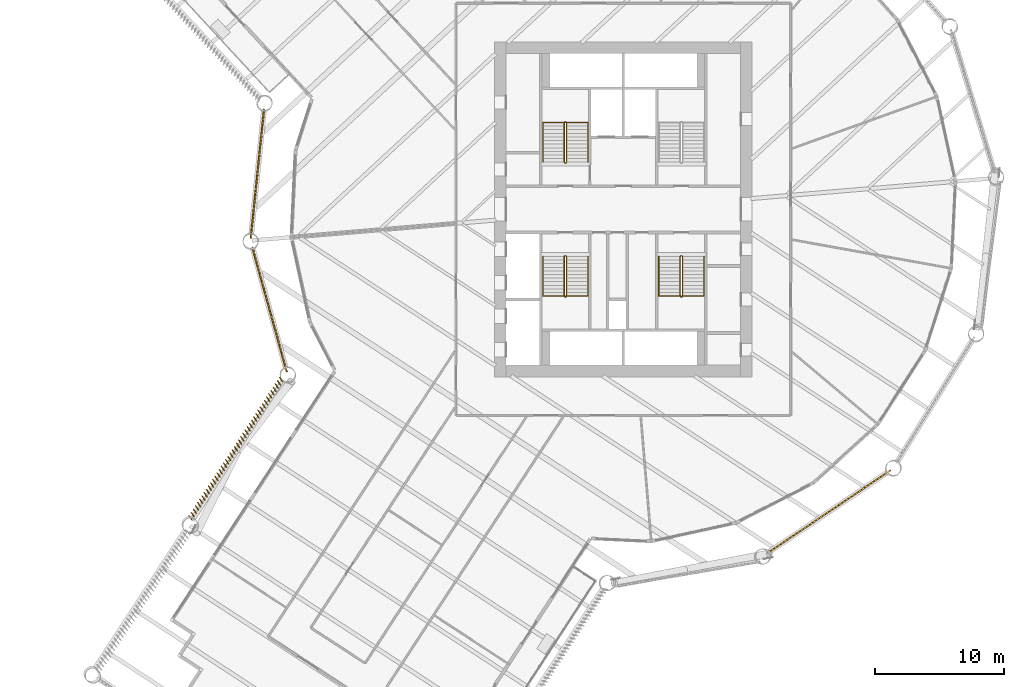
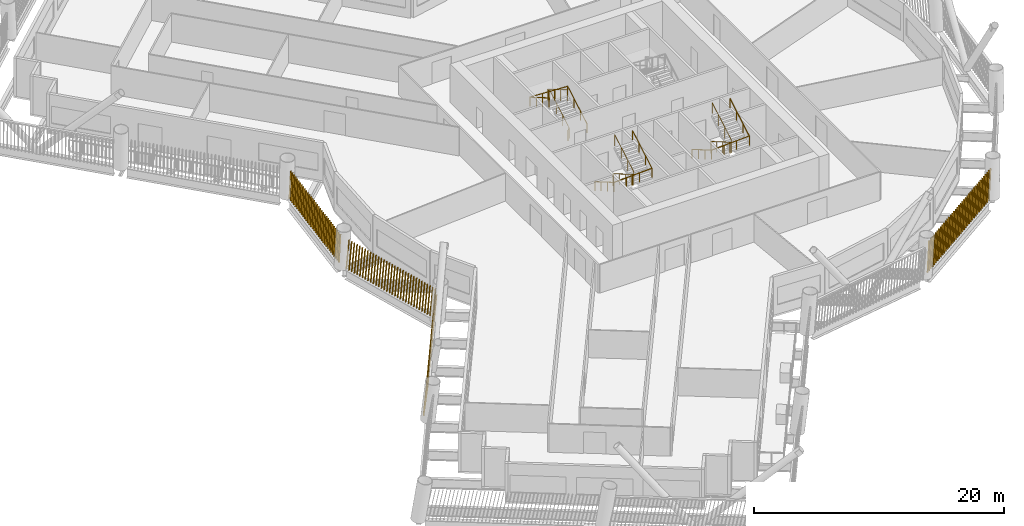
# One storey, part 19 of 22: 6 railings, 4 shading devices.
"""IFC4 building model written with IfcOpenShell, lengths in metres."""

from ifc_helpers import new_model, si_unit, direction, frame, frame_2d, origin, origin_2d, place, context, subcontext, project, spatial, rectangle, circle, composite_profile, extrude, material, type_object, element, save


model = new_model("IFC4")

# Units and contexts
model_context = context("Model", 3, precision=1e-05, world=origin(), true_north=direction((0.0, 1.0)))
body_context = subcontext(model_context, "Body", "Model", "MODEL_VIEW")
ifc_project = project(units=[si_unit("LENGTHUNIT", "METRE"), si_unit("AREAUNIT", "SQUARE_METRE"), si_unit("VOLUMEUNIT", "CUBIC_METRE"), si_unit("PLANEANGLEUNIT", "RADIAN"), si_unit("MASSUNIT", "GRAM", prefix="KILO")], contexts=[model_context])

# Site, building, storey
site_placement = place(None, origin())
site = spatial("IfcSite", under=ifc_project, at=site_placement, CompositionType="ELEMENT")
building_placement = place(site_placement, origin())
building = spatial("IfcBuilding", under=site, at=building_placement, Name="Tarsis Ring Headquarters", CompositionType="ELEMENT")
storey_placement = place(building_placement, frame((0.0, 0.0, 63.39990234375)))
storey = spatial("IfcBuildingStorey", under=building, at=storey_placement, Name="L13", CompositionType="ELEMENT", Elevation=63.39990234375)

# Railings
ifc_material_1 = material(Name="Steel S355", Category="steel")
railing_type_1 = type_object("IfcRailingType", Name="Core stair guard 1100", PredefinedType="GUARDRAIL", material=ifc_material_1)
railing_1_placement = place(storey_placement, frame((-4.5400390625, 3.610107421875, 0.0)))
element("IfcRailing", 1, at=railing_1_placement, inside=storey, type_object=railing_type_1, Name="L13 ST1 stair guard 1", PredefinedType="GUARDRAIL", context=body_context, shape_type="SweptSolid", body=[
    extrude(circle(Radius=0.02392578125, at=origin_2d()), frame((0.0, 0.0, 1.076171875), z_axis=(1.0, 0.0, 0.0), x_axis=(0.0, 1.0, 0.0)), (0.0, 0.0, 1.0), 0.080078125),
    extrude(circle(Radius=0.02392578125, at=origin_2d()), frame((0.080078125, 0.0, 1.076171875), z_axis=(0.282336740067, 0.280959487676, 0.917250092119), x_axis=(-0.705375805398, 0.708833529934, 0.0)), (0.0, 0.0, 1.0), 0.17724609375),
    extrude(circle(Radius=0.02392578125, at=origin_2d()), frame((0.130126953125, 0.0498046875, 1.23876953125), z_axis=(0.0, 0.864890721111, 0.501960198159), x_axis=(-1.0, 0.0, 0.0)), (0.0, 0.0, 1.0), 3.561279296875),
    extrude(circle(Radius=0.02392578125, at=origin_2d()), frame((0.130126953125, 3.1298828125, 3.0263671875), z_axis=(-0.707106781187, 0.707106781187, 0.0), x_axis=(-0.707106781187, -0.707106781187, 0.0)), (0.0, 0.0, 1.0), 0.07080078125),
    extrude(circle(Radius=0.02392578125, at=origin_2d()), frame((0.080078125, 3.179931640625, 3.0263671875), z_axis=(-1.0, 0.0, 0.0), x_axis=(0.0, -1.0, 0.0)), (0.0, 0.0, 1.0), 0.080078125),
    extrude(circle(Radius=0.02392578125, at=origin_2d()), frame((0.0, 3.179931640625, 3.0263671875), z_axis=(-0.282583949758, -0.282583949758, 0.916674763849), x_axis=(0.707106781187, -0.707106781187, 0.0)), (0.0, 0.0, 1.0), 0.177001953125),
    extrude(circle(Radius=0.02392578125, at=origin_2d()), frame((-0.050048828125, 3.1298828125, 3.1884765625), z_axis=(0.0, -0.864890721111, 0.501960198159), x_axis=(1.0, 0.0, 0.0)), (0.0, 0.0, 1.0), 3.561279296875),
    extrude(circle(Radius=0.02099609375, at=origin_2d()), origin(), (0.0, 0.0, 1.0), 1.052001953125),
    extrude(circle(Radius=0.02099609375, at=origin_2d()), frame((0.080078125, 0.0, 0.0)), (0.0, 0.0, 1.0), 1.052001953125),
    extrude(circle(Radius=0.02099609375, at=origin_2d()), frame((0.130126953125, 0.0498046875, 0.16259765625)), (0.0, 0.0, 1.0), 1.052001953125),
    extrude(circle(Radius=0.02099609375, at=origin_2d()), frame((0.130126953125, 1.076416015625, 0.758544921875)), (0.0, 0.0, 1.0), 1.052001953125),
    extrude(circle(Radius=0.02099609375, at=origin_2d()), frame((0.130126953125, 2.103271484375, 1.354248046875)), (0.0, 0.0, 1.0), 1.052001953125),
    extrude(circle(Radius=0.02099609375, at=origin_2d()), frame((0.130126953125, 3.1298828125, 1.9501953125)), (0.0, 0.0, 1.0), 1.052001953125),
    extrude(circle(Radius=0.02099609375, at=origin_2d()), frame((0.080078125, 3.179931640625, 1.9501953125)), (0.0, 0.0, 1.0), 1.052001953125),
    extrude(circle(Radius=0.02099609375, at=origin_2d()), frame((0.0, 3.179931640625, 1.9501953125)), (0.0, 0.0, 1.0), 1.052001953125),
    extrude(circle(Radius=0.02099609375, at=origin_2d()), frame((-0.050048828125, 3.1298828125, 2.112548828125)), (0.0, 0.0, 1.0), 1.052001953125),
    extrude(circle(Radius=0.02099609375, at=origin_2d()), frame((-0.050048828125, 2.103271484375, 2.70849609375)), (0.0, 0.0, 1.0), 1.052001953125),
    extrude(circle(Radius=0.02099609375, at=origin_2d()), frame((-0.050048828125, 1.076416015625, 3.30419921875)), (0.0, 0.0, 1.0), 1.052001953125),
    extrude(circle(Radius=0.02099609375, at=origin_2d()), frame((-0.050048828125, 0.0498046875, 3.900146484375)), (0.0, 0.0, 1.0), 1.052001953125),
])
railing_2_placement = place(storey_placement, frame((-4.4599609375, -3.610107421875, 0.0)))
element("IfcRailing", 2, at=railing_2_placement, inside=storey, type_object=railing_type_1, Name="L13 ST3 stair guard 1", PredefinedType="GUARDRAIL", context=body_context, shape_type="SweptSolid", body=[
    extrude(circle(Radius=0.02392578125, at=origin_2d()), frame((0.0, 0.0, 1.076171875), z_axis=(-1.0, 0.0, 0.0), x_axis=(0.0, -1.0, 0.0)), (0.0, 0.0, 1.0), 0.080078125),
    extrude(circle(Radius=0.02392578125, at=origin_2d()), frame((-0.080078125, 0.0, 1.076171875), z_axis=(-0.282336740067, -0.280959487676, 0.917250092119), x_axis=(0.705375805398, -0.708833529934, 0.0)), (0.0, 0.0, 1.0), 0.17724609375),
    extrude(circle(Radius=0.02392578125, at=origin_2d()), frame((-0.130126953125, -0.0498046875, 1.23876953125), z_axis=(0.0, -0.864890721111, 0.501960198159), x_axis=(1.0, 0.0, 0.0)), (0.0, 0.0, 1.0), 3.561279296875),
    extrude(circle(Radius=0.02392578125, at=origin_2d()), frame((-0.130126953125, -3.1298828125, 3.0263671875), z_axis=(0.707106781187, -0.707106781187, 0.0), x_axis=(0.707106781187, 0.707106781187, 0.0)), (0.0, 0.0, 1.0), 0.07080078125),
    extrude(circle(Radius=0.02392578125, at=origin_2d()), frame((-0.080078125, -3.179931640625, 3.0263671875), z_axis=(1.0, 0.0, 0.0), x_axis=(0.0, 1.0, 0.0)), (0.0, 0.0, 1.0), 0.080078125),
    extrude(circle(Radius=0.02392578125, at=origin_2d()), frame((0.0, -3.179931640625, 3.0263671875), z_axis=(0.282583949758, 0.282583949758, 0.916674763849), x_axis=(-0.707106781187, 0.707106781187, 0.0)), (0.0, 0.0, 1.0), 0.177001953125),
    extrude(circle(Radius=0.02392578125, at=origin_2d()), frame((0.050048828125, -3.1298828125, 3.1884765625), z_axis=(0.0, 0.864890721111, 0.501960198159), x_axis=(-1.0, 0.0, 0.0)), (0.0, 0.0, 1.0), 3.561279296875),
    extrude(circle(Radius=0.02099609375, at=origin_2d()), origin(), (0.0, 0.0, 1.0), 1.052001953125),
    extrude(circle(Radius=0.02099609375, at=origin_2d()), frame((-0.080078125, 0.0, 0.0)), (0.0, 0.0, 1.0), 1.052001953125),
    extrude(circle(Radius=0.02099609375, at=origin_2d()), frame((-0.130126953125, -0.0498046875, 0.16259765625)), (0.0, 0.0, 1.0), 1.052001953125),
    extrude(circle(Radius=0.02099609375, at=origin_2d()), frame((-0.130126953125, -1.076416015625, 0.758544921875)), (0.0, 0.0, 1.0), 1.052001953125),
    extrude(circle(Radius=0.02099609375, at=origin_2d()), frame((-0.130126953125, -2.103271484375, 1.354248046875)), (0.0, 0.0, 1.0), 1.052001953125),
    extrude(circle(Radius=0.02099609375, at=origin_2d()), frame((-0.130126953125, -3.1298828125, 1.9501953125)), (0.0, 0.0, 1.0), 1.052001953125),
    extrude(circle(Radius=0.02099609375, at=origin_2d()), frame((-0.080078125, -3.179931640625, 1.9501953125)), (0.0, 0.0, 1.0), 1.052001953125),
    extrude(circle(Radius=0.02099609375, at=origin_2d()), frame((0.0, -3.179931640625, 1.9501953125)), (0.0, 0.0, 1.0), 1.052001953125),
    extrude(circle(Radius=0.02099609375, at=origin_2d()), frame((0.050048828125, -3.1298828125, 2.112548828125)), (0.0, 0.0, 1.0), 1.052001953125),
    extrude(circle(Radius=0.02099609375, at=origin_2d()), frame((0.050048828125, -2.103271484375, 2.70849609375)), (0.0, 0.0, 1.0), 1.052001953125),
    extrude(circle(Radius=0.02099609375, at=origin_2d()), frame((0.050048828125, -1.076416015625, 3.30419921875)), (0.0, 0.0, 1.0), 1.052001953125),
    extrude(circle(Radius=0.02099609375, at=origin_2d()), frame((0.050048828125, -0.0498046875, 3.900146484375)), (0.0, 0.0, 1.0), 1.052001953125),
])
railing_3_placement = place(storey_placement, frame((4.5400390625, -3.610107421875, 0.0)))
element("IfcRailing", 3, at=railing_3_placement, inside=storey, type_object=railing_type_1, Name="L13 ST4 stair guard 1", PredefinedType="GUARDRAIL", context=body_context, shape_type="SweptSolid", body=[
    extrude(circle(Radius=0.02392578125, at=origin_2d()), frame((0.0, 0.0, 1.076171875), z_axis=(-1.0, 0.0, 0.0), x_axis=(0.0, -1.0, 0.0)), (0.0, 0.0, 1.0), 0.080078125),
    extrude(circle(Radius=0.02392578125, at=origin_2d()), frame((-0.080078125, 0.0, 1.076171875), z_axis=(-0.282336740067, -0.280959487676, 0.917250092119), x_axis=(0.705375805398, -0.708833529934, 0.0)), (0.0, 0.0, 1.0), 0.17724609375),
    extrude(circle(Radius=0.02392578125, at=origin_2d()), frame((-0.130126953125, -0.0498046875, 1.23876953125), z_axis=(0.0, -0.864890721111, 0.501960198159), x_axis=(1.0, 0.0, 0.0)), (0.0, 0.0, 1.0), 3.561279296875),
    extrude(circle(Radius=0.02392578125, at=origin_2d()), frame((-0.130126953125, -3.1298828125, 3.0263671875), z_axis=(0.707106781187, -0.707106781187, 0.0), x_axis=(0.707106781187, 0.707106781187, 0.0)), (0.0, 0.0, 1.0), 0.07080078125),
    extrude(circle(Radius=0.02392578125, at=origin_2d()), frame((-0.080078125, -3.179931640625, 3.0263671875), z_axis=(1.0, 0.0, 0.0), x_axis=(0.0, 1.0, 0.0)), (0.0, 0.0, 1.0), 0.080078125),
    extrude(circle(Radius=0.02392578125, at=origin_2d()), frame((0.0, -3.179931640625, 3.0263671875), z_axis=(0.282583949758, 0.282583949758, 0.916674763849), x_axis=(-0.707106781187, 0.707106781187, 0.0)), (0.0, 0.0, 1.0), 0.177001953125),
    extrude(circle(Radius=0.02392578125, at=origin_2d()), frame((0.050048828125, -3.1298828125, 3.1884765625), z_axis=(0.0, 0.864890721111, 0.501960198159), x_axis=(-1.0, 0.0, 0.0)), (0.0, 0.0, 1.0), 3.561279296875),
    extrude(circle(Radius=0.02099609375, at=origin_2d()), origin(), (0.0, 0.0, 1.0), 1.052001953125),
    extrude(circle(Radius=0.02099609375, at=origin_2d()), frame((-0.080078125, 0.0, 0.0)), (0.0, 0.0, 1.0), 1.052001953125),
    extrude(circle(Radius=0.02099609375, at=origin_2d()), frame((-0.130126953125, -0.0498046875, 0.16259765625)), (0.0, 0.0, 1.0), 1.052001953125),
    extrude(circle(Radius=0.02099609375, at=origin_2d()), frame((-0.130126953125, -1.076416015625, 0.758544921875)), (0.0, 0.0, 1.0), 1.052001953125),
    extrude(circle(Radius=0.02099609375, at=origin_2d()), frame((-0.130126953125, -2.103271484375, 1.354248046875)), (0.0, 0.0, 1.0), 1.052001953125),
    extrude(circle(Radius=0.02099609375, at=origin_2d()), frame((-0.130126953125, -3.1298828125, 1.9501953125)), (0.0, 0.0, 1.0), 1.052001953125),
    extrude(circle(Radius=0.02099609375, at=origin_2d()), frame((-0.080078125, -3.179931640625, 1.9501953125)), (0.0, 0.0, 1.0), 1.052001953125),
    extrude(circle(Radius=0.02099609375, at=origin_2d()), frame((0.0, -3.179931640625, 1.9501953125)), (0.0, 0.0, 1.0), 1.052001953125),
    extrude(circle(Radius=0.02099609375, at=origin_2d()), frame((0.050048828125, -3.1298828125, 2.112548828125)), (0.0, 0.0, 1.0), 1.052001953125),
    extrude(circle(Radius=0.02099609375, at=origin_2d()), frame((0.050048828125, -2.103271484375, 2.70849609375)), (0.0, 0.0, 1.0), 1.052001953125),
    extrude(circle(Radius=0.02099609375, at=origin_2d()), frame((0.050048828125, -1.076416015625, 3.30419921875)), (0.0, 0.0, 1.0), 1.052001953125),
    extrude(circle(Radius=0.02099609375, at=origin_2d()), frame((0.050048828125, -0.0498046875, 3.900146484375)), (0.0, 0.0, 1.0), 1.052001953125),
])
railing_type_2 = type_object("IfcRailingType", Name="Core stair handrail 900", PredefinedType="HANDRAIL", material=ifc_material_1)
railing_4_placement = place(storey_placement, frame((-2.75, 3.659912109375, 0.16259765625)))
element("IfcRailing", 4, at=railing_4_placement, inside=storey, type_object=railing_type_2, Name="L13 ST1 stair handrail 1", PredefinedType="HANDRAIL", context=body_context, shape_type="SweptSolid", body=[
    extrude(circle(Radius=0.02392578125, at=origin_2d()), frame((0.0, 0.0, 0.8759765625), z_axis=(0.0, 0.864890721111, 0.501960198159), x_axis=(-1.0, 0.0, 0.0)), (0.0, 0.0, 1.0), 3.561279296875),
    extrude(circle(Radius=0.02392578125, at=origin_2d()), frame((0.0, 3.080078125, 2.66357421875), z_axis=(-0.998925869279, 0.0, 0.04633689335), x_axis=(0.0, -1.0, 0.0)), (0.0, 0.0, 1.0), 3.503662109375),
    extrude(circle(Radius=0.02392578125, at=origin_2d()), frame((-3.5, 3.080078125, 2.82568359375), z_axis=(0.0, -0.864890721111, 0.501960198159), x_axis=(1.0, 0.0, 0.0)), (0.0, 0.0, 1.0), 3.561279296875),
    extrude(circle(Radius=0.02099609375, at=origin_2d()), origin(), (0.0, 0.0, 1.0), 0.851806640625),
    extrude(circle(Radius=0.02099609375, at=origin_2d()), frame((0.0, 1.026611328125, 0.595947265625)), (0.0, 0.0, 1.0), 0.851806640625),
    extrude(circle(Radius=0.02099609375, at=origin_2d()), frame((0.0, 2.053466796875, 1.191650390625)), (0.0, 0.0, 1.0), 0.851806640625),
    extrude(circle(Radius=0.02099609375, at=origin_2d()), frame((0.0, 3.080078125, 1.78759765625)), (0.0, 0.0, 1.0), 0.851806640625),
    extrude(circle(Radius=0.02099609375, at=origin_2d()), frame((-1.166748046875, 3.080078125, 1.841796875)), (0.0, 0.0, 1.0), 0.851806640625),
    extrude(circle(Radius=0.02099609375, at=origin_2d()), frame((-2.333251953125, 3.080078125, 1.895751953125)), (0.0, 0.0, 1.0), 0.851806640625),
    extrude(circle(Radius=0.02099609375, at=origin_2d()), frame((-3.5, 3.080078125, 1.949951171875)), (0.0, 0.0, 1.0), 0.851806640625),
    extrude(circle(Radius=0.02099609375, at=origin_2d()), frame((-3.5, 2.053466796875, 2.5458984375)), (0.0, 0.0, 1.0), 0.851806640625),
    extrude(circle(Radius=0.02099609375, at=origin_2d()), frame((-3.5, 1.026611328125, 3.1416015625)), (0.0, 0.0, 1.0), 0.851806640625),
    extrude(circle(Radius=0.02099609375, at=origin_2d()), frame((-3.5, 0.0, 3.737548828125)), (0.0, 0.0, 1.0), 0.851806640625),
])
railing_5_placement = place(storey_placement, frame((-6.25, -3.659912109375, 0.16259765625)))
element("IfcRailing", 5, at=railing_5_placement, inside=storey, type_object=railing_type_2, Name="L13 ST3 stair handrail 1", PredefinedType="HANDRAIL", context=body_context, shape_type="SweptSolid", body=[
    extrude(circle(Radius=0.02392578125, at=origin_2d()), frame((0.0, 0.0, 0.8759765625), z_axis=(0.0, -0.864890721111, 0.501960198159), x_axis=(1.0, 0.0, 0.0)), (0.0, 0.0, 1.0), 3.561279296875),
    extrude(circle(Radius=0.02392578125, at=origin_2d()), frame((0.0, -3.080078125, 2.66357421875), z_axis=(0.998925869279, 0.0, 0.04633689335), x_axis=(0.0, 1.0, 0.0)), (0.0, 0.0, 1.0), 3.503662109375),
    extrude(circle(Radius=0.02392578125, at=origin_2d()), frame((3.5, -3.080078125, 2.82568359375), z_axis=(0.0, 0.864890721111, 0.501960198159), x_axis=(-1.0, 0.0, 0.0)), (0.0, 0.0, 1.0), 3.561279296875),
    extrude(circle(Radius=0.02099609375, at=origin_2d()), origin(), (0.0, 0.0, 1.0), 0.851806640625),
    extrude(circle(Radius=0.02099609375, at=origin_2d()), frame((0.0, -1.026611328125, 0.595947265625)), (0.0, 0.0, 1.0), 0.851806640625),
    extrude(circle(Radius=0.02099609375, at=origin_2d()), frame((0.0, -2.053466796875, 1.191650390625)), (0.0, 0.0, 1.0), 0.851806640625),
    extrude(circle(Radius=0.02099609375, at=origin_2d()), frame((0.0, -3.080078125, 1.78759765625)), (0.0, 0.0, 1.0), 0.851806640625),
    extrude(circle(Radius=0.02099609375, at=origin_2d()), frame((1.166748046875, -3.080078125, 1.841796875)), (0.0, 0.0, 1.0), 0.851806640625),
    extrude(circle(Radius=0.02099609375, at=origin_2d()), frame((2.333251953125, -3.080078125, 1.895751953125)), (0.0, 0.0, 1.0), 0.851806640625),
    extrude(circle(Radius=0.02099609375, at=origin_2d()), frame((3.5, -3.080078125, 1.949951171875)), (0.0, 0.0, 1.0), 0.851806640625),
    extrude(circle(Radius=0.02099609375, at=origin_2d()), frame((3.5, -2.053466796875, 2.5458984375)), (0.0, 0.0, 1.0), 0.851806640625),
    extrude(circle(Radius=0.02099609375, at=origin_2d()), frame((3.5, -1.026611328125, 3.1416015625)), (0.0, 0.0, 1.0), 0.851806640625),
    extrude(circle(Radius=0.02099609375, at=origin_2d()), frame((3.5, 0.0, 3.737548828125)), (0.0, 0.0, 1.0), 0.851806640625),
])
railing_6_placement = place(storey_placement, frame((2.75, -3.659912109375, 0.16259765625)))
element("IfcRailing", 6, at=railing_6_placement, inside=storey, type_object=railing_type_2, Name="L13 ST4 stair handrail 1", PredefinedType="HANDRAIL", context=body_context, shape_type="SweptSolid", body=[
    extrude(circle(Radius=0.02392578125, at=origin_2d()), frame((0.0, 0.0, 0.8759765625), z_axis=(0.0, -0.864890721111, 0.501960198159), x_axis=(1.0, 0.0, 0.0)), (0.0, 0.0, 1.0), 3.561279296875),
    extrude(circle(Radius=0.02392578125, at=origin_2d()), frame((0.0, -3.080078125, 2.66357421875), z_axis=(0.998925869279, 0.0, 0.04633689335), x_axis=(0.0, 1.0, 0.0)), (0.0, 0.0, 1.0), 3.503662109375),
    extrude(circle(Radius=0.02392578125, at=origin_2d()), frame((3.5, -3.080078125, 2.82568359375), z_axis=(0.0, 0.864890721111, 0.501960198159), x_axis=(-1.0, 0.0, 0.0)), (0.0, 0.0, 1.0), 3.561279296875),
    extrude(circle(Radius=0.02099609375, at=origin_2d()), origin(), (0.0, 0.0, 1.0), 0.851806640625),
    extrude(circle(Radius=0.02099609375, at=origin_2d()), frame((0.0, -1.026611328125, 0.595947265625)), (0.0, 0.0, 1.0), 0.851806640625),
    extrude(circle(Radius=0.02099609375, at=origin_2d()), frame((0.0, -2.053466796875, 1.191650390625)), (0.0, 0.0, 1.0), 0.851806640625),
    extrude(circle(Radius=0.02099609375, at=origin_2d()), frame((0.0, -3.080078125, 1.78759765625)), (0.0, 0.0, 1.0), 0.851806640625),
    extrude(circle(Radius=0.02099609375, at=origin_2d()), frame((1.166748046875, -3.080078125, 1.841796875)), (0.0, 0.0, 1.0), 0.851806640625),
    extrude(circle(Radius=0.02099609375, at=origin_2d()), frame((2.333251953125, -3.080078125, 1.895751953125)), (0.0, 0.0, 1.0), 0.851806640625),
    extrude(circle(Radius=0.02099609375, at=origin_2d()), frame((3.5, -3.080078125, 1.949951171875)), (0.0, 0.0, 1.0), 0.851806640625),
    extrude(circle(Radius=0.02099609375, at=origin_2d()), frame((3.5, -2.053466796875, 2.5458984375)), (0.0, 0.0, 1.0), 0.851806640625),
    extrude(circle(Radius=0.02099609375, at=origin_2d()), frame((3.5, -1.026611328125, 3.1416015625)), (0.0, 0.0, 1.0), 0.851806640625),
    extrude(circle(Radius=0.02099609375, at=origin_2d()), frame((3.5, 0.0, 3.737548828125)), (0.0, 0.0, 1.0), 0.851806640625),
])

# Shading devices
ifc_material_2 = material(Name="Terracotta baguette", Category="masonry")
shading_device_type = type_object("IfcShadingDeviceType", Name="Terracotta baguette screen", PredefinedType="USERDEFINED", material=ifc_material_2)
shading_device_1_placement = place(storey_placement, frame((-28.813232421875, -2.91259765625, 0.0), z_axis=(0.0, 0.0, 1.0), x_axis=(0.26698313554, -0.963697688944, 0.0)))
element("IfcShadingDevice", 7, at=shading_device_1_placement, inside=storey, type_object=shading_device_type, Name="Baguette screen L13-00", ObjectType="Terracotta baguette screen", PredefinedType="USERDEFINED", context=body_context, shape_type="SweptSolid", body=[
    extrude(composite_profile([rectangle(XDim=0.06005859375, YDim=0.1201171875, at=frame_2d((0.030029296875, 0.0))), rectangle(XDim=0.06005859375, YDim=0.1201171875, at=frame_2d((0.33349609375, 0.0))), rectangle(XDim=0.06005859375, YDim=0.1201171875, at=frame_2d((0.636962890625, 0.0))), rectangle(XDim=0.06005859375, YDim=0.1201171875, at=frame_2d((0.9404296875, 0.0))), rectangle(XDim=0.06005859375, YDim=0.1201171875, at=frame_2d((1.243896484375, 0.0))), rectangle(XDim=0.06005859375, YDim=0.1201171875, at=frame_2d((1.54736328125, 0.0))), rectangle(XDim=0.06005859375, YDim=0.1201171875, at=frame_2d((1.85107421875, 0.0))), rectangle(XDim=0.06005859375, YDim=0.1201171875, at=frame_2d((2.154541015625, 0.0))), rectangle(XDim=0.06005859375, YDim=0.1201171875, at=frame_2d((2.4580078125, 0.0))), rectangle(XDim=0.06005859375, YDim=0.1201171875, at=frame_2d((2.761474609375, 0.0))), rectangle(XDim=0.06005859375, YDim=0.1201171875, at=frame_2d((3.06494140625, 0.0))), rectangle(XDim=0.06005859375, YDim=0.1201171875, at=frame_2d((3.368408203125, 0.0))), rectangle(XDim=0.06005859375, YDim=0.1201171875, at=frame_2d((3.671875, 0.0))), rectangle(XDim=0.06005859375, YDim=0.1201171875, at=frame_2d((3.975341796875, 0.0))), rectangle(XDim=0.06005859375, YDim=0.1201171875, at=frame_2d((4.27880859375, 0.0))), rectangle(XDim=0.06005859375, YDim=0.1201171875, at=frame_2d((4.582275390625, 0.0))), rectangle(XDim=0.06005859375, YDim=0.1201171875, at=frame_2d((4.8857421875, 0.0))), rectangle(XDim=0.06005859375, YDim=0.1201171875, at=frame_2d((5.189453125, 0.0))), rectangle(XDim=0.06005859375, YDim=0.1201171875, at=frame_2d((5.492919921875, 0.0))), rectangle(XDim=0.06005859375, YDim=0.1201171875, at=frame_2d((5.79638671875, 0.0))), rectangle(XDim=0.06005859375, YDim=0.1201171875, at=frame_2d((6.099853515625, 0.0))), rectangle(XDim=0.06005859375, YDim=0.1201171875, at=frame_2d((6.4033203125, 0.0))), rectangle(XDim=0.06005859375, YDim=0.1201171875, at=frame_2d((6.706787109375, 0.0))), rectangle(XDim=0.06005859375, YDim=0.1201171875, at=frame_2d((7.01025390625, 0.0))), rectangle(XDim=0.06005859375, YDim=0.1201171875, at=frame_2d((7.313720703125, 0.0))), rectangle(XDim=0.06005859375, YDim=0.1201171875, at=frame_2d((7.6171875, 0.0))), rectangle(XDim=0.06005859375, YDim=0.1201171875, at=frame_2d((7.920654296875, 0.0))), rectangle(XDim=0.06005859375, YDim=0.1201171875, at=frame_2d((8.224365234375, 0.0))), rectangle(XDim=0.06005859375, YDim=0.1201171875, at=frame_2d((8.52783203125, 0.0))), rectangle(XDim=0.06005859375, YDim=0.1201171875, at=frame_2d((8.831298828125, 0.0))), rectangle(XDim=0.06005859375, YDim=0.1201171875, at=frame_2d((9.134765625, 0.0))), rectangle(XDim=0.06005859375, YDim=0.1201171875, at=frame_2d((9.438232421875, 0.0))), rectangle(XDim=0.06005859375, YDim=0.1201171875, at=frame_2d((9.74169921875, 0.0)))]), origin(), (0.100721620598, 0.000527736712, 0.994914507201), 2.9677734375),
])
shading_device_2_placement = place(storey_placement, frame((-26.658203125, -13.0244140625, 0.0), z_axis=(0.0, 0.0, 1.0), x_axis=(-0.547570390554, -0.836758250076, 0.0)))
element("IfcShadingDevice", 8, at=shading_device_2_placement, inside=storey, type_object=shading_device_type, Name="Baguette screen L13-01", ObjectType="Terracotta baguette screen", PredefinedType="USERDEFINED", context=body_context, shape_type="SweptSolid", body=[
    extrude(composite_profile([rectangle(XDim=0.06005859375, YDim=0.1201171875, at=frame_2d((0.030029296875, 0.0))), rectangle(XDim=0.06005859375, YDim=0.1201171875, at=frame_2d((0.335693359375, 0.0))), rectangle(XDim=0.06005859375, YDim=0.1201171875, at=frame_2d((0.6416015625, 0.0))), rectangle(XDim=0.06005859375, YDim=0.1201171875, at=frame_2d((0.947265625, 0.0))), rectangle(XDim=0.06005859375, YDim=0.1201171875, at=frame_2d((1.253173828125, 0.0))), rectangle(XDim=0.06005859375, YDim=0.1201171875, at=frame_2d((1.558837890625, 0.0))), rectangle(XDim=0.06005859375, YDim=0.1201171875, at=frame_2d((1.864501953125, 0.0))), rectangle(XDim=0.06005859375, YDim=0.1201171875, at=frame_2d((2.17041015625, 0.0))), rectangle(XDim=0.06005859375, YDim=0.1201171875, at=frame_2d((2.47607421875, 0.0))), rectangle(XDim=0.06005859375, YDim=0.1201171875, at=frame_2d((2.781982421875, 0.0))), rectangle(XDim=0.06005859375, YDim=0.1201171875, at=frame_2d((3.087646484375, 0.0))), rectangle(XDim=0.06005859375, YDim=0.1201171875, at=frame_2d((3.393310546875, 0.0))), rectangle(XDim=0.06005859375, YDim=0.1201171875, at=frame_2d((3.69921875, 0.0))), rectangle(XDim=0.06005859375, YDim=0.1201171875, at=frame_2d((4.0048828125, 0.0))), rectangle(XDim=0.06005859375, YDim=0.1201171875, at=frame_2d((4.310791015625, 0.0))), rectangle(XDim=0.06005859375, YDim=0.1201171875, at=frame_2d((4.616455078125, 0.0))), rectangle(XDim=0.06005859375, YDim=0.1201171875, at=frame_2d((4.922119140625, 0.0))), rectangle(XDim=0.06005859375, YDim=0.1201171875, at=frame_2d((5.22802734375, 0.0))), rectangle(XDim=0.06005859375, YDim=0.1201171875, at=frame_2d((5.53369140625, 0.0))), rectangle(XDim=0.06005859375, YDim=0.1201171875, at=frame_2d((5.839599609375, 0.0))), rectangle(XDim=0.06005859375, YDim=0.1201171875, at=frame_2d((6.145263671875, 0.0))), rectangle(XDim=0.06005859375, YDim=0.1201171875, at=frame_2d((6.451171875, 0.0))), rectangle(XDim=0.06005859375, YDim=0.1201171875, at=frame_2d((6.7568359375, 0.0))), rectangle(XDim=0.06005859375, YDim=0.1201171875, at=frame_2d((7.0625, 0.0))), rectangle(XDim=0.06005859375, YDim=0.1201171875, at=frame_2d((7.368408203125, 0.0))), rectangle(XDim=0.06005859375, YDim=0.1201171875, at=frame_2d((7.674072265625, 0.0))), rectangle(XDim=0.06005859375, YDim=0.1201171875, at=frame_2d((7.97998046875, 0.0))), rectangle(XDim=0.06005859375, YDim=0.1201171875, at=frame_2d((8.28564453125, 0.0))), rectangle(XDim=0.06005859375, YDim=0.1201171875, at=frame_2d((8.59130859375, 0.0))), rectangle(XDim=0.06005859375, YDim=0.1201171875, at=frame_2d((8.897216796875, 0.0))), rectangle(XDim=0.06005859375, YDim=0.1201171875, at=frame_2d((9.202880859375, 0.0))), rectangle(XDim=0.06005859375, YDim=0.1201171875, at=frame_2d((9.5087890625, 0.0))), rectangle(XDim=0.06005859375, YDim=0.1201171875, at=frame_2d((9.814453125, 0.0))), rectangle(XDim=0.06005859375, YDim=0.1201171875, at=frame_2d((10.1201171875, 0.0))), rectangle(XDim=0.06005859375, YDim=0.1201171875, at=frame_2d((10.426025390625, 0.0))), rectangle(XDim=0.06005859375, YDim=0.1201171875, at=frame_2d((10.731689453125, 0.0))), rectangle(XDim=0.06005859375, YDim=0.1201171875, at=frame_2d((11.03759765625, 0.0))), rectangle(XDim=0.06005859375, YDim=0.1201171875, at=frame_2d((11.34326171875, 0.0))), rectangle(XDim=0.06005859375, YDim=0.1201171875, at=frame_2d((11.64892578125, 0.0))), rectangle(XDim=0.06005859375, YDim=0.1201171875, at=frame_2d((11.954833984375, 0.0))), rectangle(XDim=0.06005859375, YDim=0.1201171875, at=frame_2d((12.260498046875, 0.0))), rectangle(XDim=0.06005859375, YDim=0.1201171875, at=frame_2d((12.56640625, 0.0))), rectangle(XDim=0.06005859375, YDim=0.1201171875, at=frame_2d((12.8720703125, 0.0)))]), origin(), (0.052811445291, 0.112700602139, 0.992224533825), 2.975830078125),
])
shading_device_3_placement = place(storey_placement, frame((11.189453125, -26.697021484375, 0.0), z_axis=(0.0, 0.0, 1.0), x_axis=(0.829585901554, 0.558360100703, 0.0)))
element("IfcShadingDevice", 9, at=shading_device_3_placement, inside=storey, type_object=shading_device_type, Name="Baguette screen L13-08", ObjectType="Terracotta baguette screen", PredefinedType="USERDEFINED", context=body_context, shape_type="SweptSolid", body=[
    extrude(composite_profile([rectangle(XDim=0.06005859375, YDim=0.1201171875, at=frame_2d((0.030029296875, 0.0))), rectangle(XDim=0.06005859375, YDim=0.1201171875, at=frame_2d((0.33251953125, 0.0))), rectangle(XDim=0.06005859375, YDim=0.1201171875, at=frame_2d((0.634765625, 0.0))), rectangle(XDim=0.06005859375, YDim=0.1201171875, at=frame_2d((0.937255859375, 0.0))), rectangle(XDim=0.06005859375, YDim=0.1201171875, at=frame_2d((1.239501953125, 0.0))), rectangle(XDim=0.06005859375, YDim=0.1201171875, at=frame_2d((1.5419921875, 0.0))), rectangle(XDim=0.06005859375, YDim=0.1201171875, at=frame_2d((1.844482421875, 0.0))), rectangle(XDim=0.06005859375, YDim=0.1201171875, at=frame_2d((2.146728515625, 0.0))), rectangle(XDim=0.06005859375, YDim=0.1201171875, at=frame_2d((2.44921875, 0.0))), rectangle(XDim=0.06005859375, YDim=0.1201171875, at=frame_2d((2.751708984375, 0.0))), rectangle(XDim=0.06005859375, YDim=0.1201171875, at=frame_2d((3.053955078125, 0.0))), rectangle(XDim=0.06005859375, YDim=0.1201171875, at=frame_2d((3.3564453125, 0.0))), rectangle(XDim=0.06005859375, YDim=0.1201171875, at=frame_2d((3.65869140625, 0.0))), rectangle(XDim=0.06005859375, YDim=0.1201171875, at=frame_2d((3.961181640625, 0.0))), rectangle(XDim=0.06005859375, YDim=0.1201171875, at=frame_2d((4.263671875, 0.0))), rectangle(XDim=0.06005859375, YDim=0.1201171875, at=frame_2d((4.56591796875, 0.0))), rectangle(XDim=0.06005859375, YDim=0.1201171875, at=frame_2d((4.868408203125, 0.0))), rectangle(XDim=0.06005859375, YDim=0.1201171875, at=frame_2d((5.1708984375, 0.0))), rectangle(XDim=0.06005859375, YDim=0.1201171875, at=frame_2d((5.47314453125, 0.0))), rectangle(XDim=0.06005859375, YDim=0.1201171875, at=frame_2d((5.775634765625, 0.0))), rectangle(XDim=0.06005859375, YDim=0.1201171875, at=frame_2d((6.077880859375, 0.0))), rectangle(XDim=0.06005859375, YDim=0.1201171875, at=frame_2d((6.38037109375, 0.0))), rectangle(XDim=0.06005859375, YDim=0.1201171875, at=frame_2d((6.682861328125, 0.0))), rectangle(XDim=0.06005859375, YDim=0.1201171875, at=frame_2d((6.985107421875, 0.0))), rectangle(XDim=0.06005859375, YDim=0.1201171875, at=frame_2d((7.28759765625, 0.0))), rectangle(XDim=0.06005859375, YDim=0.1201171875, at=frame_2d((7.590087890625, 0.0))), rectangle(XDim=0.06005859375, YDim=0.1201171875, at=frame_2d((7.892333984375, 0.0))), rectangle(XDim=0.06005859375, YDim=0.1201171875, at=frame_2d((8.19482421875, 0.0))), rectangle(XDim=0.06005859375, YDim=0.1201171875, at=frame_2d((8.4970703125, 0.0))), rectangle(XDim=0.06005859375, YDim=0.1201171875, at=frame_2d((8.799560546875, 0.0))), rectangle(XDim=0.06005859375, YDim=0.1201171875, at=frame_2d((9.10205078125, 0.0))), rectangle(XDim=0.06005859375, YDim=0.1201171875, at=frame_2d((9.404296875, 0.0))), rectangle(XDim=0.06005859375, YDim=0.1201171875, at=frame_2d((9.706787109375, 0.0))), rectangle(XDim=0.06005859375, YDim=0.1201171875, at=frame_2d((10.00927734375, 0.0))), rectangle(XDim=0.06005859375, YDim=0.1201171875, at=frame_2d((10.3115234375, 0.0))), rectangle(XDim=0.06005859375, YDim=0.1201171875, at=frame_2d((10.614013671875, 0.0))), rectangle(XDim=0.06005859375, YDim=0.1201171875, at=frame_2d((10.916259765625, 0.0))), rectangle(XDim=0.06005859375, YDim=0.1201171875, at=frame_2d((11.21875, 0.0)))]), origin(), (0.100199505707, 0.000526229484, 0.994967226666), 2.967529296875),
])
shading_device_4_placement = place(storey_placement, frame((-27.8935546875, 7.786865234375, 0.0), z_axis=(0.0, 0.0, 1.0), x_axis=(-0.102510930668, -0.994728294816, 0.0)))
element("IfcShadingDevice", 10, at=shading_device_4_placement, inside=storey, type_object=shading_device_type, Name="Baguette screen L13-21", ObjectType="Terracotta baguette screen", PredefinedType="USERDEFINED", context=body_context, shape_type="SweptSolid", body=[
    extrude(composite_profile([rectangle(XDim=0.06005859375, YDim=0.1201171875, at=frame_2d((0.030029296875, 0.0))), rectangle(XDim=0.06005859375, YDim=0.1201171875, at=frame_2d((0.33349609375, 0.0))), rectangle(XDim=0.06005859375, YDim=0.1201171875, at=frame_2d((0.636962890625, 0.0))), rectangle(XDim=0.06005859375, YDim=0.1201171875, at=frame_2d((0.9404296875, 0.0))), rectangle(XDim=0.06005859375, YDim=0.1201171875, at=frame_2d((1.243896484375, 0.0))), rectangle(XDim=0.06005859375, YDim=0.1201171875, at=frame_2d((1.54736328125, 0.0))), rectangle(XDim=0.06005859375, YDim=0.1201171875, at=frame_2d((1.85107421875, 0.0))), rectangle(XDim=0.06005859375, YDim=0.1201171875, at=frame_2d((2.154541015625, 0.0))), rectangle(XDim=0.06005859375, YDim=0.1201171875, at=frame_2d((2.4580078125, 0.0))), rectangle(XDim=0.06005859375, YDim=0.1201171875, at=frame_2d((2.761474609375, 0.0))), rectangle(XDim=0.06005859375, YDim=0.1201171875, at=frame_2d((3.06494140625, 0.0))), rectangle(XDim=0.06005859375, YDim=0.1201171875, at=frame_2d((3.368408203125, 0.0))), rectangle(XDim=0.06005859375, YDim=0.1201171875, at=frame_2d((3.671875, 0.0))), rectangle(XDim=0.06005859375, YDim=0.1201171875, at=frame_2d((3.975341796875, 0.0))), rectangle(XDim=0.06005859375, YDim=0.1201171875, at=frame_2d((4.27880859375, 0.0))), rectangle(XDim=0.06005859375, YDim=0.1201171875, at=frame_2d((4.582275390625, 0.0))), rectangle(XDim=0.06005859375, YDim=0.1201171875, at=frame_2d((4.8857421875, 0.0))), rectangle(XDim=0.06005859375, YDim=0.1201171875, at=frame_2d((5.189453125, 0.0))), rectangle(XDim=0.06005859375, YDim=0.1201171875, at=frame_2d((5.492919921875, 0.0))), rectangle(XDim=0.06005859375, YDim=0.1201171875, at=frame_2d((5.79638671875, 0.0))), rectangle(XDim=0.06005859375, YDim=0.1201171875, at=frame_2d((6.099853515625, 0.0))), rectangle(XDim=0.06005859375, YDim=0.1201171875, at=frame_2d((6.4033203125, 0.0))), rectangle(XDim=0.06005859375, YDim=0.1201171875, at=frame_2d((6.706787109375, 0.0))), rectangle(XDim=0.06005859375, YDim=0.1201171875, at=frame_2d((7.01025390625, 0.0))), rectangle(XDim=0.06005859375, YDim=0.1201171875, at=frame_2d((7.313720703125, 0.0))), rectangle(XDim=0.06005859375, YDim=0.1201171875, at=frame_2d((7.6171875, 0.0))), rectangle(XDim=0.06005859375, YDim=0.1201171875, at=frame_2d((7.920654296875, 0.0))), rectangle(XDim=0.06005859375, YDim=0.1201171875, at=frame_2d((8.224365234375, 0.0))), rectangle(XDim=0.06005859375, YDim=0.1201171875, at=frame_2d((8.52783203125, 0.0))), rectangle(XDim=0.06005859375, YDim=0.1201171875, at=frame_2d((8.831298828125, 0.0))), rectangle(XDim=0.06005859375, YDim=0.1201171875, at=frame_2d((9.134765625, 0.0))), rectangle(XDim=0.06005859375, YDim=0.1201171875, at=frame_2d((9.438232421875, 0.0))), rectangle(XDim=0.06005859375, YDim=0.1201171875, at=frame_2d((9.74169921875, 0.0)))]), origin(), (0.100721729159, 0.000525473687, 0.994914497408), 2.9677734375),
])

save(model, "model.ifc")
